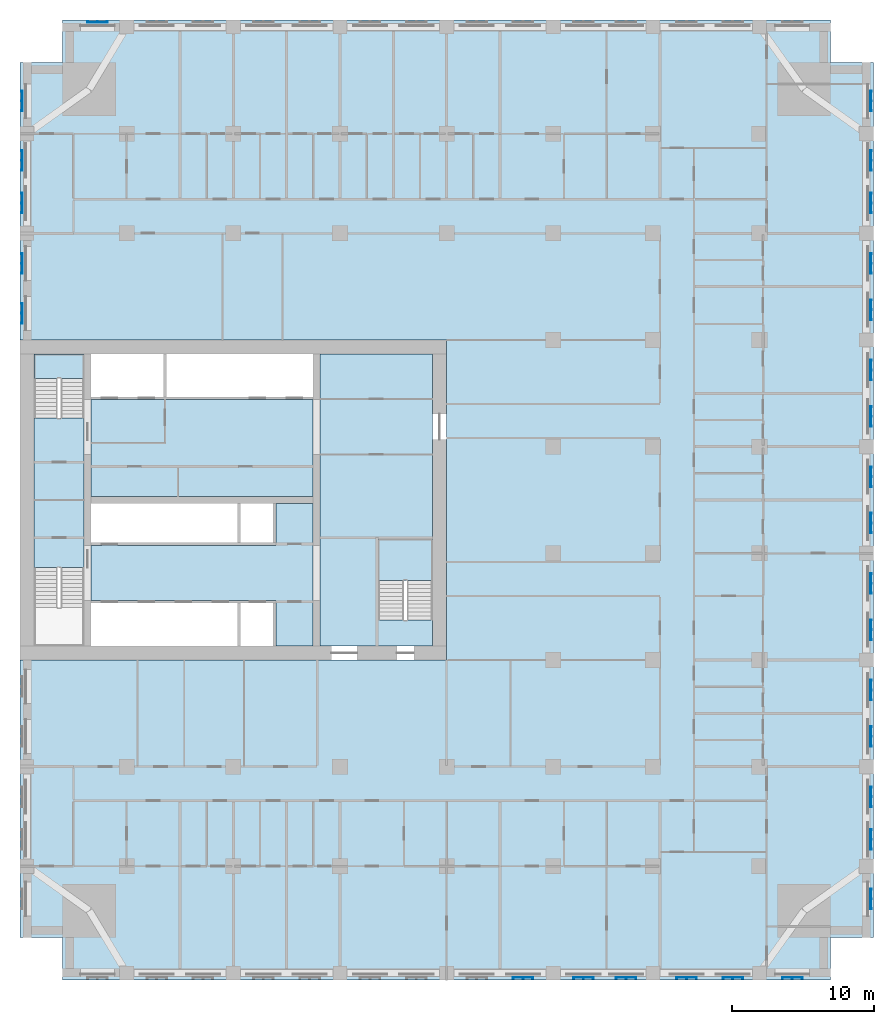
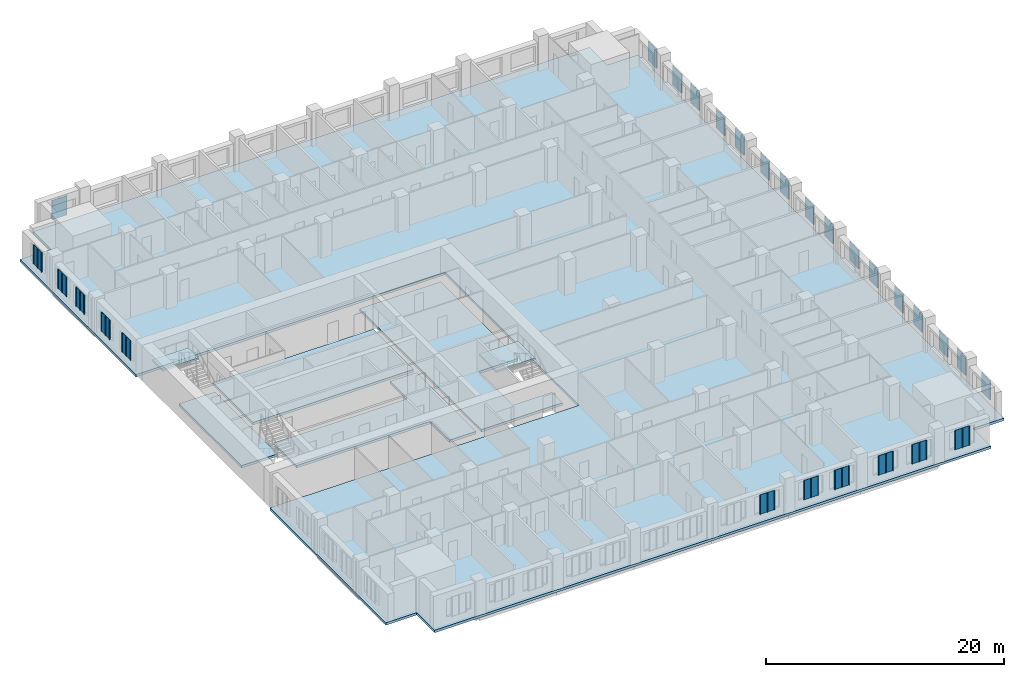
# One storey, part 2 of 15: 28 plates, 7 slabs, 2 elements without a shape of their own.
"""IFC4 building model written with IfcOpenShell, lengths in metres."""

from ifc_helpers import new_model, si_unit, direction, frame, origin, place, context, subcontext, project, spatial, polyline, outline, extrude, material, layer, layer_set, type_object, element, aggregate, save


model = new_model("IFC4")

# Units and contexts
model_context = context("Model", 3, precision=1e-05, world=origin(), true_north=direction((0.0, 1.0)))
body_context = subcontext(model_context, "Body", "Model", "MODEL_VIEW")
ifc_project = project(units=[si_unit("LENGTHUNIT", "METRE"), si_unit("AREAUNIT", "SQUARE_METRE"), si_unit("VOLUMEUNIT", "CUBIC_METRE"), si_unit("PLANEANGLEUNIT", "RADIAN"), si_unit("MASSUNIT", "GRAM", prefix="KILO")], contexts=[model_context])

# Site, building, storey
site_placement = place(None, origin())
site = spatial("IfcSite", under=ifc_project, at=site_placement, CompositionType="ELEMENT")
building_placement = place(site_placement, origin())
building = spatial("IfcBuilding", under=site, at=building_placement, Name="Tamorin Gate", CompositionType="ELEMENT")
storey_placement = place(building_placement, frame((0.0, 0.0, 82.699951171875)))
storey = spatial("IfcBuildingStorey", under=building, at=storey_placement, Name="L19", CompositionType="ELEMENT", Elevation=82.699951171875)

# Slabs
ifc_material_1 = material(Name="Concrete C40/50", Category="concrete")
ifc_layer_1 = layer(ifc_material_1, 0.25)
ifc_layer_set_1 = layer_set([ifc_layer_1], Name="Core floor slab 250 C40/50")
slab_type_1 = type_object("IfcSlabType", Name="Core floor slab 250 C40/50", PredefinedType="FLOOR", material=ifc_layer_set_1)
slab_1_placement = place(storey_placement, frame((0.0, 0.0, -0.25)))
element("IfcSlab", 1, at=slab_1_placement, inside=storey, type_object=slab_type_1, Name="Core floor L19", PredefinedType="FLOOR", context=body_context, shape_type="SweptSolid", body=[
    extrude(outline(polyline([(59.0, 62.800048828125), (59.0, 61.0), (51.10009765625, 61.0), (51.10009765625, 81.5), (59.0, 81.5), (59.0, 68.5), (55.199951171875, 68.5), (55.199951171875, 62.800048828125), (59.0, 62.800048828125)])), origin(), (0.0, 0.0, 1.0), 0.25),
])
slab_2_placement = place(storey_placement, frame((0.0, 0.0, -0.25)))
element("IfcSlab", 2, at=slab_2_placement, inside=storey, type_object=slab_type_1, Name="Core floor L19", PredefinedType="FLOOR", context=body_context, shape_type="SweptSolid", body=[
    extrude(outline(polyline([(50.60009765625, 61.0), (48.0, 61.0), (48.0, 64.199951171875), (35.0, 64.199951171875), (35.0, 68.050048828125), (48.0, 68.050048828125), (48.0, 71.0), (50.60009765625, 71.0), (50.60009765625, 61.0)])), origin(), (0.0, 0.0, 1.0), 0.25),
])
slab_3_placement = place(storey_placement, frame((0.0, 0.0, -0.25)))
element("IfcSlab", 3, at=slab_3_placement, inside=storey, type_object=slab_type_1, Name="Core floor L19", PredefinedType="FLOOR", context=body_context, shape_type="SweptSolid", body=[
    extrude(outline(polyline([(50.60009765625, 71.5), (35.0, 71.5), (35.0, 78.300048828125), (50.60009765625, 78.300048828125), (50.60009765625, 71.5)])), origin(), (0.0, 0.0, 1.0), 0.25),
])
slab_4_placement = place(storey_placement, frame((0.0, 0.0, -0.25)))
element("IfcSlab", 4, at=slab_4_placement, inside=storey, type_object=slab_type_1, Name="Core floor L19", PredefinedType="FLOOR", context=body_context, shape_type="SweptSolid", body=[
    extrude(outline(polyline([(31.0, 66.5), (31.0, 77.0), (34.5, 77.0), (34.5, 66.5), (31.0, 66.5)])), origin(), (0.0, 0.0, 1.0), 0.25),
])

# Stair, slab
stair_type = type_object("IfcStairType", Name="Exit stair", PredefinedType="HALF_TURN_STAIR", material=ifc_material_1)
stair_1_placement = place(storey_placement, origin())
stair_1 = element("IfcStair", 5, at=stair_1_placement, inside=storey, type_object=stair_type, Name="L19 stair ST2", PredefinedType="HALF_TURN_STAIR")
ifc_layer_2 = layer(ifc_material_1, 0.199951171875)
ifc_layer_set_2 = layer_set([ifc_layer_2], Name="Exit stair landing 200")
slab_type_2 = type_object("IfcSlabType", Name="Exit stair landing 200", PredefinedType="LANDING", material=ifc_layer_set_2)
slab_5_placement = place(storey_placement, frame((0.0, 0.0, 1.60009765625)))
slab_5 = element("IfcSlab", 6, at=slab_5_placement, type_object=slab_type_2, Name="ST2 landing 1", PredefinedType="LANDING", context=body_context, shape_type="SweptSolid", body=[
    extrude(outline(polyline([(34.5, 79.800048828125), (34.5, 81.5), (31.0, 81.5), (31.0, 79.800048828125), (34.5, 79.800048828125)])), origin(), (0.0, 0.0, 1.0), 0.199951171875),
])
aggregate(stair_1, [slab_5])

stair_2_placement = place(storey_placement, origin())
stair_2 = element("IfcStair", 7, at=stair_2_placement, inside=storey, type_object=stair_type, Name="L19 stair ST3", PredefinedType="HALF_TURN_STAIR")
slab_6_placement = place(storey_placement, frame((0.0, 0.0, 1.60009765625)))
slab_6 = element("IfcSlab", 8, at=slab_6_placement, type_object=slab_type_2, Name="ST3 landing 1", PredefinedType="LANDING", context=body_context, shape_type="SweptSolid", body=[
    extrude(outline(polyline([(59.0, 65.60009765625), (59.0, 68.5), (55.199951171875, 68.5), (55.199951171875, 65.60009765625), (59.0, 65.60009765625)])), origin(), (0.0, 0.0, 1.0), 0.199951171875),
])
aggregate(stair_2, [slab_6])

# Slab
ifc_layer_3 = layer(ifc_material_1, 0.25)
ifc_layer_set_3 = layer_set([ifc_layer_3], Name="Floor slab 250 C40/50")
slab_type_3 = type_object("IfcSlabType", Name="Floor slab 250 C40/50", PredefinedType="FLOOR", material=ifc_layer_set_3)
slab_7_placement = place(storey_placement, frame((0.0, 0.0, -0.25)))
element("IfcSlab", 9, at=slab_7_placement, inside=storey, type_object=slab_type_3, Name="Floor L19", PredefinedType="FLOOR", context=body_context, shape_type="SweptSolid", body=[
    extrude(outline(polyline([(30.0, 102.0), (33.0, 102.0), (33.0, 105.0), (87.0, 105.0), (87.0, 102.0), (90.0, 102.0), (90.0, 40.5), (87.0, 40.5), (87.0, 37.5), (33.0, 37.5), (33.0, 40.5), (30.0, 40.5), (30.0, 60.0), (60.0, 60.0), (60.0, 82.5), (30.0, 82.5), (30.0, 102.0)])), origin(), (0.0, 0.0, 1.0), 0.25),
])

# Plates
ifc_material_2 = material(Name="Perforated pale aluminium sheet", Category="aluminium")
ifc_layer_4 = layer(ifc_material_2, 0.0400390625)
ifc_layer_set_4 = layer_set([ifc_layer_4], Name="Pale metal solar screen 1440")
plate_type = type_object("IfcPlateType", Name="Pale metal solar screen 1440", PredefinedType="SHEET", material=ifc_layer_set_4)
plate_1_placement = place(storey_placement, frame((0.0, 0.0, 0.7099609375)))
element("IfcPlate", 10, at=plate_1_placement, inside=storey, type_object=plate_type, Name="Perforated solar screen", PredefinedType="SHEET", context=body_context, shape_type="SweptSolid", body=[
    extrude(outline(polyline([(64.655029296875, 37.659912109375), (64.655029296875, 37.699951171875), (64.715087890625, 37.699951171875), (65.344970703125, 37.699951171875), (65.405029296875, 37.699951171875), (66.034912109375, 37.699951171875), (66.094970703125, 37.699951171875), (66.094970703125, 37.659912109375), (66.094970703125, 37.60009765625), (66.034912109375, 37.60009765625), (66.034912109375, 37.659912109375), (65.405029296875, 37.659912109375), (65.405029296875, 37.60009765625), (65.344970703125, 37.60009765625), (65.344970703125, 37.659912109375), (64.715087890625, 37.659912109375), (64.715087890625, 37.60009765625), (64.655029296875, 37.60009765625), (64.655029296875, 37.659912109375)])), origin(), (0.0, 0.0, 1.0), 1.97998046875),
])
plate_2_placement = place(storey_placement, frame((0.0, 0.0, 0.7099609375)))
element("IfcPlate", 11, at=plate_2_placement, inside=storey, type_object=plate_type, Name="Perforated solar screen", PredefinedType="SHEET", context=body_context, shape_type="SweptSolid", body=[
    extrude(outline(polyline([(68.905029296875, 37.659912109375), (68.905029296875, 37.699951171875), (68.965087890625, 37.699951171875), (69.594970703125, 37.699951171875), (69.655029296875, 37.699951171875), (70.284912109375, 37.699951171875), (70.344970703125, 37.699951171875), (70.344970703125, 37.659912109375), (70.344970703125, 37.60009765625), (70.284912109375, 37.60009765625), (70.284912109375, 37.659912109375), (69.655029296875, 37.659912109375), (69.655029296875, 37.60009765625), (69.594970703125, 37.60009765625), (69.594970703125, 37.659912109375), (68.965087890625, 37.659912109375), (68.965087890625, 37.60009765625), (68.905029296875, 37.60009765625), (68.905029296875, 37.659912109375)])), origin(), (0.0, 0.0, 1.0), 1.97998046875),
])
plate_3_placement = place(storey_placement, frame((0.0, 0.0, 0.7099609375)))
element("IfcPlate", 12, at=plate_3_placement, inside=storey, type_object=plate_type, Name="Perforated solar screen", PredefinedType="SHEET", context=body_context, shape_type="SweptSolid", body=[
    extrude(outline(polyline([(71.905029296875, 37.659912109375), (71.905029296875, 37.699951171875), (71.965087890625, 37.699951171875), (72.594970703125, 37.699951171875), (72.655029296875, 37.699951171875), (73.284912109375, 37.699951171875), (73.344970703125, 37.699951171875), (73.344970703125, 37.659912109375), (73.344970703125, 37.60009765625), (73.284912109375, 37.60009765625), (73.284912109375, 37.659912109375), (72.655029296875, 37.659912109375), (72.655029296875, 37.60009765625), (72.594970703125, 37.60009765625), (72.594970703125, 37.659912109375), (71.965087890625, 37.659912109375), (71.965087890625, 37.60009765625), (71.905029296875, 37.60009765625), (71.905029296875, 37.659912109375)])), origin(), (0.0, 0.0, 1.0), 1.97998046875),
])
plate_4_placement = place(storey_placement, frame((0.0, 0.0, 0.7099609375)))
element("IfcPlate", 13, at=plate_4_placement, inside=storey, type_object=plate_type, Name="Perforated solar screen", PredefinedType="SHEET", context=body_context, shape_type="SweptSolid", body=[
    extrude(outline(polyline([(76.155029296875, 37.659912109375), (76.155029296875, 37.699951171875), (76.215087890625, 37.699951171875), (76.844970703125, 37.699951171875), (76.905029296875, 37.699951171875), (77.534912109375, 37.699951171875), (77.594970703125, 37.699951171875), (77.594970703125, 37.659912109375), (77.594970703125, 37.60009765625), (77.534912109375, 37.60009765625), (77.534912109375, 37.659912109375), (76.905029296875, 37.659912109375), (76.905029296875, 37.60009765625), (76.844970703125, 37.60009765625), (76.844970703125, 37.659912109375), (76.215087890625, 37.659912109375), (76.215087890625, 37.60009765625), (76.155029296875, 37.60009765625), (76.155029296875, 37.659912109375)])), origin(), (0.0, 0.0, 1.0), 1.97998046875),
])
plate_5_placement = place(storey_placement, frame((0.0, 0.0, 0.7099609375)))
element("IfcPlate", 14, at=plate_5_placement, inside=storey, type_object=plate_type, Name="Perforated solar screen", PredefinedType="SHEET", context=body_context, shape_type="SweptSolid", body=[
    extrude(outline(polyline([(79.405029296875, 37.659912109375), (79.405029296875, 37.699951171875), (79.465087890625, 37.699951171875), (80.094970703125, 37.699951171875), (80.155029296875, 37.699951171875), (80.784912109375, 37.699951171875), (80.844970703125, 37.699951171875), (80.844970703125, 37.659912109375), (80.844970703125, 37.60009765625), (80.784912109375, 37.60009765625), (80.784912109375, 37.659912109375), (80.155029296875, 37.659912109375), (80.155029296875, 37.60009765625), (80.094970703125, 37.60009765625), (80.094970703125, 37.659912109375), (79.465087890625, 37.659912109375), (79.465087890625, 37.60009765625), (79.405029296875, 37.60009765625), (79.405029296875, 37.659912109375)])), origin(), (0.0, 0.0, 1.0), 1.97998046875),
])
plate_6_placement = place(storey_placement, frame((0.0, 0.0, 0.7099609375)))
element("IfcPlate", 15, at=plate_6_placement, inside=storey, type_object=plate_type, Name="Perforated solar screen", PredefinedType="SHEET", context=body_context, shape_type="SweptSolid", body=[
    extrude(outline(polyline([(83.580078125, 37.659912109375), (83.580078125, 37.699951171875), (83.639892578125, 37.699951171875), (84.27001953125, 37.699951171875), (84.330078125, 37.699951171875), (84.9599609375, 37.699951171875), (85.02001953125, 37.699951171875), (85.02001953125, 37.659912109375), (85.02001953125, 37.60009765625), (84.9599609375, 37.60009765625), (84.9599609375, 37.659912109375), (84.330078125, 37.659912109375), (84.330078125, 37.60009765625), (84.27001953125, 37.60009765625), (84.27001953125, 37.659912109375), (83.639892578125, 37.659912109375), (83.639892578125, 37.60009765625), (83.580078125, 37.60009765625), (83.580078125, 37.659912109375)])), origin(), (0.0, 0.0, 1.0), 1.97998046875),
])
plate_7_placement = place(storey_placement, frame((0.0, 0.0, 0.7099609375)))
element("IfcPlate", 16, at=plate_7_placement, inside=storey, type_object=plate_type, Name="Perforated solar screen", PredefinedType="SHEET", context=body_context, shape_type="SweptSolid", body=[
    extrude(outline(polyline([(89.840087890625, 42.47998046875), (89.800048828125, 42.47998046875), (89.800048828125, 42.5400390625), (89.800048828125, 43.169921875), (89.800048828125, 43.22998046875), (89.800048828125, 43.860107421875), (89.800048828125, 43.919921875), (89.840087890625, 43.919921875), (89.89990234375, 43.919921875), (89.89990234375, 43.860107421875), (89.840087890625, 43.860107421875), (89.840087890625, 43.22998046875), (89.89990234375, 43.22998046875), (89.89990234375, 43.169921875), (89.840087890625, 43.169921875), (89.840087890625, 42.5400390625), (89.89990234375, 42.5400390625), (89.89990234375, 42.47998046875), (89.840087890625, 42.47998046875)])), origin(), (0.0, 0.0, 1.0), 1.97998046875),
])
plate_8_placement = place(storey_placement, frame((0.0, 0.0, 0.7099609375)))
element("IfcPlate", 17, at=plate_8_placement, inside=storey, type_object=plate_type, Name="Perforated solar screen", PredefinedType="SHEET", context=body_context, shape_type="SweptSolid", body=[
    extrude(outline(polyline([(89.840087890625, 46.655029296875), (89.800048828125, 46.655029296875), (89.800048828125, 46.715087890625), (89.800048828125, 47.344970703125), (89.800048828125, 47.405029296875), (89.800048828125, 48.034912109375), (89.800048828125, 48.094970703125), (89.800048828125, 48.094970703125), (89.840087890625, 48.094970703125), (89.840087890625, 48.094970703125), (89.89990234375, 48.094970703125), (89.89990234375, 48.034912109375), (89.840087890625, 48.034912109375), (89.840087890625, 47.405029296875), (89.89990234375, 47.405029296875), (89.89990234375, 47.344970703125), (89.840087890625, 47.344970703125), (89.840087890625, 46.715087890625), (89.89990234375, 46.715087890625), (89.89990234375, 46.655029296875), (89.840087890625, 46.655029296875)])), origin(), (0.0, 0.0, 1.0), 1.97998046875),
])
plate_9_placement = place(storey_placement, frame((0.0, 0.0, 0.7099609375)))
element("IfcPlate", 18, at=plate_9_placement, inside=storey, type_object=plate_type, Name="Perforated solar screen", PredefinedType="SHEET", context=body_context, shape_type="SweptSolid", body=[
    extrude(outline(polyline([(89.840087890625, 49.655029296875), (89.800048828125, 49.655029296875), (89.800048828125, 49.715087890625), (89.800048828125, 50.344970703125), (89.800048828125, 50.405029296875), (89.800048828125, 51.034912109375), (89.800048828125, 51.094970703125), (89.840087890625, 51.094970703125), (89.89990234375, 51.094970703125), (89.89990234375, 51.034912109375), (89.840087890625, 51.034912109375), (89.840087890625, 50.405029296875), (89.89990234375, 50.405029296875), (89.89990234375, 50.344970703125), (89.840087890625, 50.344970703125), (89.840087890625, 49.715087890625), (89.89990234375, 49.715087890625), (89.89990234375, 49.655029296875), (89.840087890625, 49.655029296875)])), origin(), (0.0, 0.0, 1.0), 1.97998046875),
])
plate_10_placement = place(storey_placement, frame((0.0, 0.0, 0.7099609375)))
element("IfcPlate", 19, at=plate_10_placement, inside=storey, type_object=plate_type, Name="Perforated solar screen", PredefinedType="SHEET", context=body_context, shape_type="SweptSolid", body=[
    extrude(outline(polyline([(89.840087890625, 53.905029296875), (89.800048828125, 53.905029296875), (89.800048828125, 53.965087890625), (89.800048828125, 54.594970703125), (89.800048828125, 54.655029296875), (89.800048828125, 55.284912109375), (89.800048828125, 55.344970703125), (89.840087890625, 55.344970703125), (89.89990234375, 55.344970703125), (89.89990234375, 55.284912109375), (89.840087890625, 55.284912109375), (89.840087890625, 54.655029296875), (89.89990234375, 54.655029296875), (89.89990234375, 54.594970703125), (89.840087890625, 54.594970703125), (89.840087890625, 53.965087890625), (89.89990234375, 53.965087890625), (89.89990234375, 53.905029296875), (89.840087890625, 53.905029296875)])), origin(), (0.0, 0.0, 1.0), 1.97998046875),
])
plate_11_placement = place(storey_placement, frame((0.0, 0.0, 0.7099609375)))
element("IfcPlate", 20, at=plate_11_placement, inside=storey, type_object=plate_type, Name="Perforated solar screen", PredefinedType="SHEET", context=body_context, shape_type="SweptSolid", body=[
    extrude(outline(polyline([(89.840087890625, 57.155029296875), (89.800048828125, 57.155029296875), (89.800048828125, 57.215087890625), (89.800048828125, 57.844970703125), (89.800048828125, 57.905029296875), (89.800048828125, 58.534912109375), (89.800048828125, 58.594970703125), (89.840087890625, 58.594970703125), (89.89990234375, 58.594970703125), (89.89990234375, 58.534912109375), (89.840087890625, 58.534912109375), (89.840087890625, 57.905029296875), (89.89990234375, 57.905029296875), (89.89990234375, 57.844970703125), (89.840087890625, 57.844970703125), (89.840087890625, 57.215087890625), (89.89990234375, 57.215087890625), (89.89990234375, 57.155029296875), (89.840087890625, 57.155029296875)])), origin(), (0.0, 0.0, 1.0), 1.97998046875),
])
plate_12_placement = place(storey_placement, frame((0.0, 0.0, 0.7099609375)))
element("IfcPlate", 21, at=plate_12_placement, inside=storey, type_object=plate_type, Name="Perforated solar screen", PredefinedType="SHEET", context=body_context, shape_type="SweptSolid", body=[
    extrude(outline(polyline([(89.840087890625, 61.405029296875), (89.800048828125, 61.405029296875), (89.800048828125, 61.465087890625), (89.800048828125, 62.094970703125), (89.800048828125, 62.155029296875), (89.800048828125, 62.784912109375), (89.800048828125, 62.844970703125), (89.840087890625, 62.844970703125), (89.89990234375, 62.844970703125), (89.89990234375, 62.784912109375), (89.840087890625, 62.784912109375), (89.840087890625, 62.155029296875), (89.89990234375, 62.155029296875), (89.89990234375, 62.094970703125), (89.840087890625, 62.094970703125), (89.840087890625, 61.465087890625), (89.89990234375, 61.465087890625), (89.89990234375, 61.405029296875), (89.840087890625, 61.405029296875)])), origin(), (0.0, 0.0, 1.0), 1.97998046875),
])
plate_13_placement = place(storey_placement, frame((0.0, 0.0, 0.7099609375)))
element("IfcPlate", 22, at=plate_13_placement, inside=storey, type_object=plate_type, Name="Perforated solar screen", PredefinedType="SHEET", context=body_context, shape_type="SweptSolid", body=[
    extrude(outline(polyline([(89.840087890625, 64.655029296875), (89.800048828125, 64.655029296875), (89.800048828125, 64.715087890625), (89.800048828125, 65.344970703125), (89.800048828125, 65.405029296875), (89.800048828125, 66.034912109375), (89.800048828125, 66.094970703125), (89.840087890625, 66.094970703125), (89.89990234375, 66.094970703125), (89.89990234375, 66.034912109375), (89.840087890625, 66.034912109375), (89.840087890625, 65.405029296875), (89.89990234375, 65.405029296875), (89.89990234375, 65.344970703125), (89.840087890625, 65.344970703125), (89.840087890625, 64.715087890625), (89.89990234375, 64.715087890625), (89.89990234375, 64.655029296875), (89.840087890625, 64.655029296875)])), origin(), (0.0, 0.0, 1.0), 1.97998046875),
])
plate_14_placement = place(storey_placement, frame((0.0, 0.0, 0.7099609375)))
element("IfcPlate", 23, at=plate_14_placement, inside=storey, type_object=plate_type, Name="Perforated solar screen", PredefinedType="SHEET", context=body_context, shape_type="SweptSolid", body=[
    extrude(outline(polyline([(89.840087890625, 68.905029296875), (89.800048828125, 68.905029296875), (89.800048828125, 68.965087890625), (89.800048828125, 69.594970703125), (89.800048828125, 69.655029296875), (89.800048828125, 70.284912109375), (89.800048828125, 70.344970703125), (89.840087890625, 70.344970703125), (89.89990234375, 70.344970703125), (89.89990234375, 70.284912109375), (89.840087890625, 70.284912109375), (89.840087890625, 69.655029296875), (89.89990234375, 69.655029296875), (89.89990234375, 69.594970703125), (89.840087890625, 69.594970703125), (89.840087890625, 68.965087890625), (89.89990234375, 68.965087890625), (89.89990234375, 68.905029296875), (89.840087890625, 68.905029296875)])), origin(), (0.0, 0.0, 1.0), 1.97998046875),
])
plate_15_placement = place(storey_placement, frame((0.0, 0.0, 0.7099609375)))
element("IfcPlate", 24, at=plate_15_placement, inside=storey, type_object=plate_type, Name="Perforated solar screen", PredefinedType="SHEET", context=body_context, shape_type="SweptSolid", body=[
    extrude(outline(polyline([(89.840087890625, 72.155029296875), (89.800048828125, 72.155029296875), (89.800048828125, 72.215087890625), (89.800048828125, 72.844970703125), (89.800048828125, 72.905029296875), (89.800048828125, 73.534912109375), (89.800048828125, 73.594970703125), (89.840087890625, 73.594970703125), (89.89990234375, 73.594970703125), (89.89990234375, 73.534912109375), (89.840087890625, 73.534912109375), (89.840087890625, 72.905029296875), (89.89990234375, 72.905029296875), (89.89990234375, 72.844970703125), (89.840087890625, 72.844970703125), (89.840087890625, 72.215087890625), (89.89990234375, 72.215087890625), (89.89990234375, 72.155029296875), (89.840087890625, 72.155029296875)])), origin(), (0.0, 0.0, 1.0), 1.97998046875),
])
plate_16_placement = place(storey_placement, frame((0.0, 0.0, 0.7099609375)))
element("IfcPlate", 25, at=plate_16_placement, inside=storey, type_object=plate_type, Name="Perforated solar screen", PredefinedType="SHEET", context=body_context, shape_type="SweptSolid", body=[
    extrude(outline(polyline([(89.840087890625, 76.405029296875), (89.800048828125, 76.405029296875), (89.800048828125, 76.465087890625), (89.800048828125, 77.094970703125), (89.800048828125, 77.155029296875), (89.800048828125, 77.784912109375), (89.800048828125, 77.844970703125), (89.840087890625, 77.844970703125), (89.89990234375, 77.844970703125), (89.89990234375, 77.784912109375), (89.840087890625, 77.784912109375), (89.840087890625, 77.155029296875), (89.89990234375, 77.155029296875), (89.89990234375, 77.094970703125), (89.840087890625, 77.094970703125), (89.840087890625, 76.465087890625), (89.89990234375, 76.465087890625), (89.89990234375, 76.405029296875), (89.840087890625, 76.405029296875)])), origin(), (0.0, 0.0, 1.0), 1.97998046875),
])
plate_17_placement = place(storey_placement, frame((0.0, 0.0, 0.7099609375)))
element("IfcPlate", 26, at=plate_17_placement, inside=storey, type_object=plate_type, Name="Perforated solar screen", PredefinedType="SHEET", context=body_context, shape_type="SweptSolid", body=[
    extrude(outline(polyline([(89.840087890625, 79.655029296875), (89.800048828125, 79.655029296875), (89.800048828125, 79.715087890625), (89.800048828125, 80.344970703125), (89.800048828125, 80.405029296875), (89.800048828125, 81.034912109375), (89.800048828125, 81.094970703125), (89.840087890625, 81.094970703125), (89.89990234375, 81.094970703125), (89.89990234375, 81.034912109375), (89.840087890625, 81.034912109375), (89.840087890625, 80.405029296875), (89.89990234375, 80.405029296875), (89.89990234375, 80.344970703125), (89.840087890625, 80.344970703125), (89.840087890625, 79.715087890625), (89.89990234375, 79.715087890625), (89.89990234375, 79.655029296875), (89.840087890625, 79.655029296875)])), origin(), (0.0, 0.0, 1.0), 1.97998046875),
])
plate_18_placement = place(storey_placement, frame((0.0, 0.0, 0.7099609375)))
element("IfcPlate", 27, at=plate_18_placement, inside=storey, type_object=plate_type, Name="Perforated solar screen", PredefinedType="SHEET", context=body_context, shape_type="SweptSolid", body=[
    extrude(outline(polyline([(89.840087890625, 83.905029296875), (89.800048828125, 83.905029296875), (89.800048828125, 83.965087890625), (89.800048828125, 84.594970703125), (89.800048828125, 84.655029296875), (89.800048828125, 85.284912109375), (89.800048828125, 85.344970703125), (89.840087890625, 85.344970703125), (89.89990234375, 85.344970703125), (89.89990234375, 85.284912109375), (89.840087890625, 85.284912109375), (89.840087890625, 84.655029296875), (89.89990234375, 84.655029296875), (89.89990234375, 84.594970703125), (89.840087890625, 84.594970703125), (89.840087890625, 83.965087890625), (89.89990234375, 83.965087890625), (89.89990234375, 83.905029296875), (89.840087890625, 83.905029296875)])), origin(), (0.0, 0.0, 1.0), 1.97998046875),
])
plate_19_placement = place(storey_placement, frame((0.0, 0.0, 0.7099609375)))
element("IfcPlate", 28, at=plate_19_placement, inside=storey, type_object=plate_type, Name="Perforated solar screen", PredefinedType="SHEET", context=body_context, shape_type="SweptSolid", body=[
    extrude(outline(polyline([(89.840087890625, 87.155029296875), (89.800048828125, 87.155029296875), (89.800048828125, 87.215087890625), (89.800048828125, 87.844970703125), (89.800048828125, 87.905029296875), (89.800048828125, 88.534912109375), (89.800048828125, 88.594970703125), (89.840087890625, 88.594970703125), (89.89990234375, 88.594970703125), (89.89990234375, 88.534912109375), (89.840087890625, 88.534912109375), (89.840087890625, 87.905029296875), (89.89990234375, 87.905029296875), (89.89990234375, 87.844970703125), (89.840087890625, 87.844970703125), (89.840087890625, 87.215087890625), (89.89990234375, 87.215087890625), (89.89990234375, 87.155029296875), (89.840087890625, 87.155029296875)])), origin(), (0.0, 0.0, 1.0), 1.97998046875),
])
plate_20_placement = place(storey_placement, frame((0.0, 0.0, 0.7099609375)))
element("IfcPlate", 29, at=plate_20_placement, inside=storey, type_object=plate_type, Name="Perforated solar screen", PredefinedType="SHEET", context=body_context, shape_type="SweptSolid", body=[
    extrude(outline(polyline([(89.840087890625, 91.405029296875), (89.800048828125, 91.405029296875), (89.800048828125, 91.465087890625), (89.800048828125, 92.094970703125), (89.800048828125, 92.155029296875), (89.800048828125, 92.784912109375), (89.800048828125, 92.844970703125), (89.840087890625, 92.844970703125), (89.89990234375, 92.844970703125), (89.89990234375, 92.784912109375), (89.840087890625, 92.784912109375), (89.840087890625, 92.155029296875), (89.89990234375, 92.155029296875), (89.89990234375, 92.094970703125), (89.840087890625, 92.094970703125), (89.840087890625, 91.465087890625), (89.89990234375, 91.465087890625), (89.89990234375, 91.405029296875), (89.840087890625, 91.405029296875)])), origin(), (0.0, 0.0, 1.0), 1.97998046875),
])
plate_21_placement = place(storey_placement, frame((0.0, 0.0, 0.7099609375)))
element("IfcPlate", 30, at=plate_21_placement, inside=storey, type_object=plate_type, Name="Perforated solar screen", PredefinedType="SHEET", context=body_context, shape_type="SweptSolid", body=[
    extrude(outline(polyline([(89.840087890625, 94.405029296875), (89.800048828125, 94.405029296875), (89.800048828125, 94.465087890625), (89.800048828125, 95.094970703125), (89.800048828125, 95.155029296875), (89.800048828125, 95.784912109375), (89.800048828125, 95.844970703125), (89.840087890625, 95.844970703125), (89.89990234375, 95.844970703125), (89.89990234375, 95.784912109375), (89.840087890625, 95.784912109375), (89.840087890625, 95.155029296875), (89.89990234375, 95.155029296875), (89.89990234375, 95.094970703125), (89.840087890625, 95.094970703125), (89.840087890625, 94.465087890625), (89.89990234375, 94.465087890625), (89.89990234375, 94.405029296875), (89.840087890625, 94.405029296875)])), origin(), (0.0, 0.0, 1.0), 1.97998046875),
])
plate_22_placement = place(storey_placement, frame((0.0, 0.0, 0.7099609375)))
element("IfcPlate", 31, at=plate_22_placement, inside=storey, type_object=plate_type, Name="Perforated solar screen", PredefinedType="SHEET", context=body_context, shape_type="SweptSolid", body=[
    extrude(outline(polyline([(89.840087890625, 98.580078125), (89.800048828125, 98.580078125), (89.800048828125, 98.639892578125), (89.800048828125, 99.27001953125), (89.800048828125, 99.330078125), (89.800048828125, 99.9599609375), (89.800048828125, 100.02001953125), (89.840087890625, 100.02001953125), (89.89990234375, 100.02001953125), (89.89990234375, 99.9599609375), (89.840087890625, 99.9599609375), (89.840087890625, 99.330078125), (89.89990234375, 99.330078125), (89.89990234375, 99.27001953125), (89.840087890625, 99.27001953125), (89.840087890625, 98.639892578125), (89.89990234375, 98.639892578125), (89.89990234375, 98.580078125), (89.840087890625, 98.580078125)])), origin(), (0.0, 0.0, 1.0), 1.97998046875),
])
plate_23_placement = place(storey_placement, frame((0.0, 0.0, 0.7099609375)))
element("IfcPlate", 32, at=plate_23_placement, inside=storey, type_object=plate_type, Name="Perforated solar screen", PredefinedType="SHEET", context=body_context, shape_type="SweptSolid", body=[
    extrude(outline(polyline([(36.169921875, 104.840087890625), (36.169921875, 104.800048828125), (36.110107421875, 104.800048828125), (35.47998046875, 104.800048828125), (35.419921875, 104.800048828125), (34.7900390625, 104.800048828125), (34.72998046875, 104.800048828125), (34.72998046875, 104.840087890625), (34.72998046875, 104.89990234375), (34.7900390625, 104.89990234375), (34.7900390625, 104.840087890625), (35.419921875, 104.840087890625), (35.419921875, 104.89990234375), (35.47998046875, 104.89990234375), (35.47998046875, 104.840087890625), (36.110107421875, 104.840087890625), (36.110107421875, 104.89990234375), (36.169921875, 104.89990234375), (36.169921875, 104.840087890625)])), origin(), (0.0, 0.0, 1.0), 1.97998046875),
])
plate_24_placement = place(storey_placement, frame((0.0, 0.0, 0.7099609375)))
element("IfcPlate", 33, at=plate_24_placement, inside=storey, type_object=plate_type, Name="Perforated solar screen", PredefinedType="SHEET", context=body_context, shape_type="SweptSolid", body=[
    extrude(outline(polyline([(30.159912109375, 100.02001953125), (30.199951171875, 100.02001953125), (30.199951171875, 99.9599609375), (30.199951171875, 99.330078125), (30.199951171875, 99.27001953125), (30.199951171875, 98.639892578125), (30.199951171875, 98.580078125), (30.159912109375, 98.580078125), (30.10009765625, 98.580078125), (30.10009765625, 98.639892578125), (30.159912109375, 98.639892578125), (30.159912109375, 99.27001953125), (30.10009765625, 99.27001953125), (30.10009765625, 99.330078125), (30.159912109375, 99.330078125), (30.159912109375, 99.9599609375), (30.10009765625, 99.9599609375), (30.10009765625, 100.02001953125), (30.159912109375, 100.02001953125)])), origin(), (0.0, 0.0, 1.0), 1.97998046875),
])
plate_25_placement = place(storey_placement, frame((0.0, 0.0, 0.7099609375)))
element("IfcPlate", 34, at=plate_25_placement, inside=storey, type_object=plate_type, Name="Perforated solar screen", PredefinedType="SHEET", context=body_context, shape_type="SweptSolid", body=[
    extrude(outline(polyline([(30.159912109375, 92.844970703125), (30.199951171875, 92.844970703125), (30.199951171875, 92.784912109375), (30.199951171875, 92.155029296875), (30.199951171875, 92.094970703125), (30.199951171875, 91.465087890625), (30.199951171875, 91.405029296875), (30.159912109375, 91.405029296875), (30.10009765625, 91.405029296875), (30.10009765625, 91.465087890625), (30.159912109375, 91.465087890625), (30.159912109375, 92.094970703125), (30.10009765625, 92.094970703125), (30.10009765625, 92.155029296875), (30.159912109375, 92.155029296875), (30.159912109375, 92.784912109375), (30.10009765625, 92.784912109375), (30.10009765625, 92.844970703125), (30.159912109375, 92.844970703125)])), origin(), (0.0, 0.0, 1.0), 1.97998046875),
])
plate_26_placement = place(storey_placement, frame((0.0, 0.0, 0.7099609375)))
element("IfcPlate", 35, at=plate_26_placement, inside=storey, type_object=plate_type, Name="Perforated solar screen", PredefinedType="SHEET", context=body_context, shape_type="SweptSolid", body=[
    extrude(outline(polyline([(30.159912109375, 95.844970703125), (30.199951171875, 95.844970703125), (30.199951171875, 95.784912109375), (30.199951171875, 95.155029296875), (30.199951171875, 95.094970703125), (30.199951171875, 94.465087890625), (30.199951171875, 94.405029296875), (30.199951171875, 94.405029296875), (30.159912109375, 94.405029296875), (30.159912109375, 94.405029296875), (30.10009765625, 94.405029296875), (30.10009765625, 94.465087890625), (30.159912109375, 94.465087890625), (30.159912109375, 95.094970703125), (30.10009765625, 95.094970703125), (30.10009765625, 95.155029296875), (30.159912109375, 95.155029296875), (30.159912109375, 95.784912109375), (30.10009765625, 95.784912109375), (30.10009765625, 95.844970703125), (30.159912109375, 95.844970703125)])), origin(), (0.0, 0.0, 1.0), 1.97998046875),
])
plate_27_placement = place(storey_placement, frame((0.0, 0.0, 0.7099609375)))
element("IfcPlate", 36, at=plate_27_placement, inside=storey, type_object=plate_type, Name="Perforated solar screen", PredefinedType="SHEET", context=body_context, shape_type="SweptSolid", body=[
    extrude(outline(polyline([(30.159912109375, 85.094970703125), (30.199951171875, 85.094970703125), (30.199951171875, 85.034912109375), (30.199951171875, 84.405029296875), (30.199951171875, 84.344970703125), (30.199951171875, 83.715087890625), (30.199951171875, 83.655029296875), (30.159912109375, 83.655029296875), (30.10009765625, 83.655029296875), (30.10009765625, 83.715087890625), (30.159912109375, 83.715087890625), (30.159912109375, 84.344970703125), (30.10009765625, 84.344970703125), (30.10009765625, 84.405029296875), (30.159912109375, 84.405029296875), (30.159912109375, 85.034912109375), (30.10009765625, 85.034912109375), (30.10009765625, 85.094970703125), (30.159912109375, 85.094970703125)])), origin(), (0.0, 0.0, 1.0), 1.97998046875),
])
plate_28_placement = place(storey_placement, frame((0.0, 0.0, 0.7099609375)))
element("IfcPlate", 37, at=plate_28_placement, inside=storey, type_object=plate_type, Name="Perforated solar screen", PredefinedType="SHEET", context=body_context, shape_type="SweptSolid", body=[
    extrude(outline(polyline([(30.159912109375, 88.594970703125), (30.199951171875, 88.594970703125), (30.199951171875, 88.534912109375), (30.199951171875, 87.905029296875), (30.199951171875, 87.844970703125), (30.199951171875, 87.215087890625), (30.199951171875, 87.155029296875), (30.159912109375, 87.155029296875), (30.10009765625, 87.155029296875), (30.10009765625, 87.215087890625), (30.159912109375, 87.215087890625), (30.159912109375, 87.844970703125), (30.10009765625, 87.844970703125), (30.10009765625, 87.905029296875), (30.159912109375, 87.905029296875), (30.159912109375, 88.534912109375), (30.10009765625, 88.534912109375), (30.10009765625, 88.594970703125), (30.159912109375, 88.594970703125)])), origin(), (0.0, 0.0, 1.0), 1.97998046875),
])

save(model, "model.ifc")
